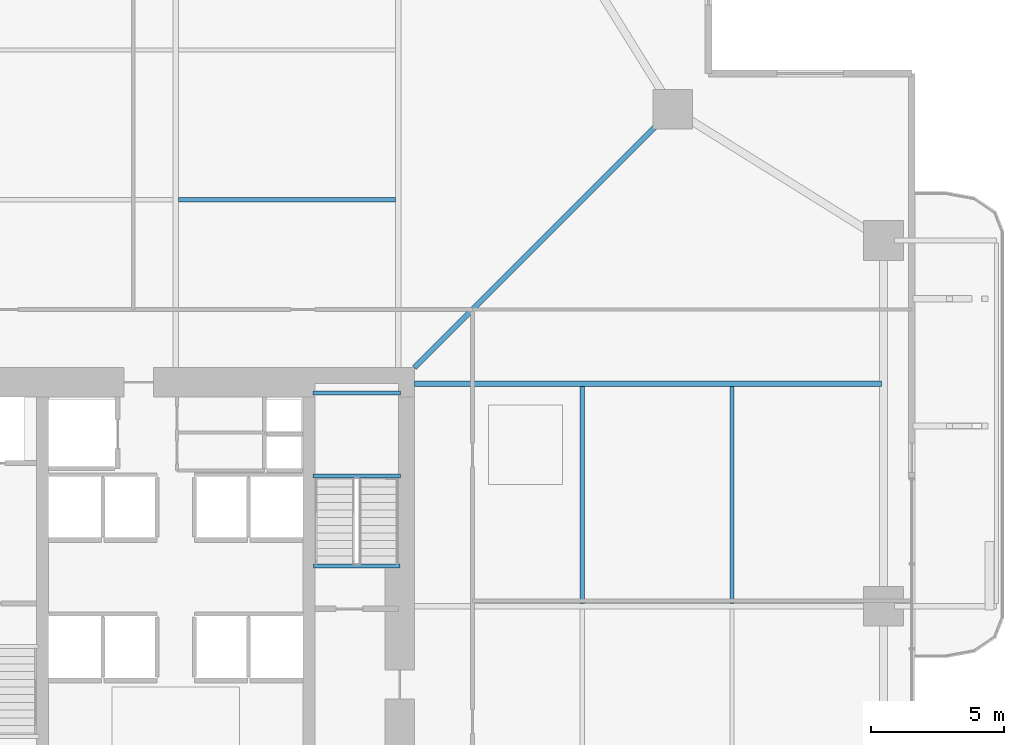
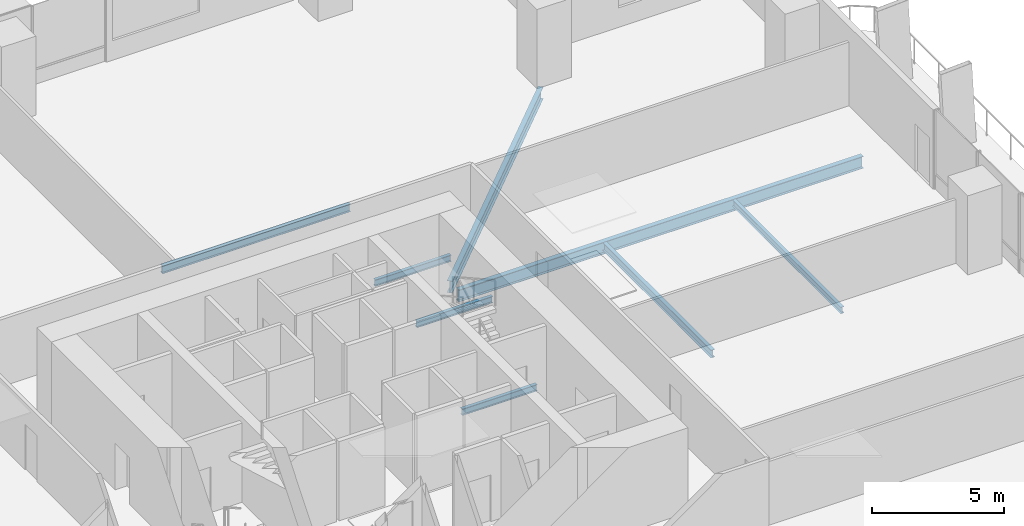
# One storey, part 12 of 23: 8 beams.
"""IFC4 building model written with IfcOpenShell, lengths in metres."""

import ifcopenshell
import ifcopenshell.guid

model = None  # the IFC model being written
_history = None  # IfcOwnerHistory: only IFC2X3 demands one
_inside = {}  # id of a spatial element -> (the spatial element, [elements in it])
_under = {}  # id of a project, library or spatial element -> (it, [spatial elements below it])
_declared = {}  # id of a project -> (the project, [libraries it declares])
_typed = {}  # id of a type object -> (the type object, [elements of that type])
_made_of = {}  # id of a material, layer set ... -> (it, [elements and type objects made of it])


def new_model(schema):
    """Start an empty IFC model of exactly this schema.

    Asked for "IFC4X3", IfcOpenShell would pick the latest addendum, in which some entities
    have other attributes; the version numbers below select the first issue.
    IFC2X3 requires an IfcOwnerHistory on every rooted entity: one is made here for all.
    """
    global model, _history
    if schema == "IFC4X3":
        model = ifcopenshell.file(schema_version=(4, 3, 0, 0))
    else:
        model = ifcopenshell.file(schema=schema)
    _inside.clear()
    _under.clear()
    _declared.clear()
    _typed.clear()
    _made_of.clear()
    _history = None
    if model.schema == "IFC2X3":
        org = make("IfcOrganization", Name="unknown")
        user = make(
            "IfcPersonAndOrganization",
            ThePerson=make("IfcPerson", FamilyName="unknown"),
            TheOrganization=org,
        )
        app = make(
            "IfcApplication",
            ApplicationDeveloper=org,
            Version="unknown",
            ApplicationFullName="unknown",
            ApplicationIdentifier="unknown",
        )
        _history = make(
            "IfcOwnerHistory",
            OwningUser=user,
            OwningApplication=app,
            ChangeAction="ADDED",
            CreationDate=0,
        )
    return model


def make(cls, **values):
    """One entity of the class cls with the attributes given. An attribute that is None is left unset."""
    return model.create_entity(
        cls, **{name: value for name, value in values.items() if value is not None}
    )


def rooted(cls, **values):
    """An entity with a GlobalId (a new one), such as an element, a storey or a relation."""
    return make(cls, GlobalId=ifcopenshell.guid.new(), OwnerHistory=_history, **values)


def si_unit(unit_type, name, prefix=None):
    """IfcSIUnit, for example si_unit("LENGTHUNIT", "METRE", prefix="MILLI")."""
    return make("IfcSIUnit", UnitType=unit_type, Prefix=prefix, Name=name)


def assignment(units):
    """IfcUnitAssignment: the units of a project."""
    return None if units is None else make("IfcUnitAssignment", Units=units)


def point(xyz):
    """IfcCartesianPoint."""
    return None if xyz is None else make("IfcCartesianPoint", Coordinates=xyz)


def direction(xyz):
    """IfcDirection."""
    return None if xyz is None else make("IfcDirection", DirectionRatios=xyz)


def frame(location, z_axis=None, x_axis=None):
    """IfcAxis2Placement3D, a coordinate frame: its origin and axes. An axis left out is left unset."""
    return make(
        "IfcAxis2Placement3D",
        Location=point(location),
        Axis=direction(z_axis),
        RefDirection=direction(x_axis),
    )


def frame_2d(location, x_axis=None):
    """IfcAxis2Placement2D, a coordinate frame in the plane: its origin and x axis."""
    return make(
        "IfcAxis2Placement2D", Location=point(location), RefDirection=direction(x_axis)
    )


def origin():
    """The frame at (0, 0, 0) with its axes left unset."""
    return frame((0.0, 0.0, 0.0))


def origin_2d():
    """The frame at (0, 0) in the plane with its x axis left unset."""
    return frame_2d((0.0, 0.0))


def place(relative_to, where):
    """IfcLocalPlacement: puts the frame where relative to a parent placement (None: the world)."""
    return make(
        "IfcLocalPlacement", PlacementRelTo=relative_to, RelativePlacement=where
    )


def context(
    kind, dimensions, precision=None, world=None, true_north=None, identifier=None
):
    """IfcGeometricRepresentationContext, for example the 3D "Model" context."""
    return make(
        "IfcGeometricRepresentationContext",
        ContextIdentifier=identifier,
        ContextType=kind,
        CoordinateSpaceDimension=dimensions,
        Precision=precision,
        WorldCoordinateSystem=world,
        TrueNorth=true_north,
    )


def subcontext(parent, identifier, kind, view, scale=None):
    """IfcGeometricRepresentationSubContext, for example "Body" below "Model"."""
    return make(
        "IfcGeometricRepresentationSubContext",
        ContextIdentifier=identifier,
        ContextType=kind,
        ParentContext=parent,
        TargetScale=scale,
        TargetView=view,
    )


def project(units=None, contexts=None):
    """IfcProject with its units and contexts."""
    return rooted(
        "IfcProject",
        Name="project",
        RepresentationContexts=contexts,
        UnitsInContext=assignment(units),
    )


def spatial(cls, under=None, at=None, **own):
    """A site, building, storey or space (cls), placed at a placement, below another one or the project."""
    s = rooted(cls, ObjectPlacement=at, **own)
    if under is not None:
        _under.setdefault(under.id(), (under, []))[1].append(s)
    return s


def profile(cls, at=None, kind="AREA", **sizes):
    """A parametric profile (cls). Its sizes go by their IFC names, for example OverallWidth=200.0."""
    return make(cls, ProfileType=kind, Position=at, **sizes)


def i_section(**sizes):
    """IfcIShapeProfileDef."""
    return profile("IfcIShapeProfileDef", **sizes)


def extrude(swept, where, along, depth):
    """IfcExtrudedAreaSolid: the profile swept, set in the frame where, extruded along a direction by depth."""
    return make(
        "IfcExtrudedAreaSolid",
        SweptArea=swept,
        Position=where,
        ExtrudedDirection=direction(along),
        Depth=depth,
    )


def shape(context_of_items, identifier, shape_type, items):
    """IfcShapeRepresentation: the items that make up one representation, for example the "Body"."""
    return make(
        "IfcShapeRepresentation",
        ContextOfItems=context_of_items,
        RepresentationIdentifier=identifier,
        RepresentationType=shape_type,
        Items=items,
    )


def material(Name=None, Category=None):
    """IfcMaterial."""
    return make("IfcMaterial", Name=Name, Category=Category)


def material_profile(
    of_material, cross_section, Name=None, Category=None, Priority=None
):
    """IfcMaterialProfile: a cross section and its material."""
    return make(
        "IfcMaterialProfile",
        Name=Name,
        Material=of_material,
        Profile=cross_section,
        Priority=Priority,
        Category=Category,
    )


def profile_set(profiles, Name=None, composite=None):
    """IfcMaterialProfileSet."""
    return make(
        "IfcMaterialProfileSet",
        Name=Name,
        MaterialProfiles=profiles,
        CompositeProfile=composite,
    )


def made_of(thing, what):
    """Note that an element or type object is made of a material, layer set ...; save() writes the relation."""
    if what is not None:
        _made_of.setdefault(what.id(), (what, []))[1].append(thing)
    return thing


def type_object(cls, material=None, **own):
    """A type object (cls), such as IfcWallType, which elements share."""
    return made_of(rooted(cls, **own), material)


def element(
    cls,
    number,
    at=None,
    inside=None,
    cuts=None,
    type_object=None,
    material=None,
    context=None,
    identifier="Body",
    shape_type=None,
    held_by="IfcProductDefinitionShape",
    body=None,
    shapes=None,
    **own,
):
    """One element of the class cls, such as IfcWall. Its Tag is "e" and its number.

    at: its placement. inside: the storey or other place that contains it. cuts: it is an
    opening in that element (IfcRelVoidsElement). A single representation is given by context,
    identifier, shape_type and body (its items); several are given by shapes. held_by: the class
    of the entity that holds the representations. save() writes the other relations.
    """
    e = rooted(cls, Tag="e%d" % number, ObjectPlacement=at, **own)
    if body is not None:
        shapes = [shape(context, identifier, shape_type, body)]
    if shapes is not None:
        e.Representation = make(held_by, Representations=shapes)
    if inside is not None:
        _inside.setdefault(inside.id(), (inside, []))[1].append(e)
    if cuts is not None:
        rooted(
            "IfcRelVoidsElement", RelatingBuildingElement=cuts, RelatedOpeningElement=e
        )
    if type_object is not None:
        _typed.setdefault(type_object.id(), (type_object, []))[1].append(e)
    return made_of(e, material)


def aggregate(whole, parts):
    """IfcRelAggregates: a whole, such as a stair, and the parts it consists of."""
    return rooted("IfcRelAggregates", RelatingObject=whole, RelatedObjects=parts)


def save(model, path):
    """Write the relations noted so far, then the file.

    IfcRelAggregates (storeys below a building ...), IfcRelContainedInSpatialStructure (elements
    in a storey), IfcRelDefinesByType, IfcRelAssociatesMaterial and IfcRelDeclares: one each for
    every whole, place, type object, material and project.
    """
    for whole, parts in _under.values():
        aggregate(whole, parts)
    for where, things in _inside.values():
        rooted(
            "IfcRelContainedInSpatialStructure",
            RelatedElements=things,
            RelatingStructure=where,
        )
    for kind, things in _typed.values():
        rooted("IfcRelDefinesByType", RelatedObjects=things, RelatingType=kind)
    for what, things in _made_of.values():
        rooted("IfcRelAssociatesMaterial", RelatedObjects=things, RelatingMaterial=what)
    for by, libraries in _declared.values():
        rooted("IfcRelDeclares", RelatingContext=by, RelatedDefinitions=libraries)
    model.write(path)


model = new_model("IFC4")

# Units and contexts
model_context = context("Model", 3, precision=1e-05, world=origin(), true_north=direction((0.0, 1.0)))
body_context = subcontext(model_context, "Body", "Model", "MODEL_VIEW")
ifc_project = project(units=[si_unit("LENGTHUNIT", "METRE"), si_unit("AREAUNIT", "SQUARE_METRE"), si_unit("VOLUMEUNIT", "CUBIC_METRE"), si_unit("PLANEANGLEUNIT", "RADIAN"), si_unit("MASSUNIT", "GRAM", prefix="KILO")], contexts=[model_context])

# Site, building, storey
site_placement = place(None, origin())
site = spatial("IfcSite", under=ifc_project, at=site_placement, CompositionType="ELEMENT")
building_placement = place(site_placement, origin())
building = spatial("IfcBuilding", under=site, at=building_placement, Name="Belovzor Exchange Tower", CompositionType="ELEMENT")
storey_placement = place(building_placement, frame((0.0, 0.0, 57.300048828125)))
storey = spatial("IfcBuildingStorey", under=building, at=storey_placement, Name="L13", CompositionType="ELEMENT", Elevation=57.300048828125)

# Beams
ifc_material_1 = material(Name="Steel S355", Category="steel")
ifc_material_profile_1 = material_profile(ifc_material_1, i_section(OverallWidth=0.169921875, OverallDepth=0.360107421875, WebThickness=0.008056640625, FlangeThickness=0.0126953125, at=origin_2d()))
ifc_profile_set_1 = profile_set([ifc_material_profile_1], Name="Steel S355")
beam_type_1 = type_object("IfcBeamType", Name="Secondary Infill Floor Joist IPE 360", PredefinedType="BEAM", material=ifc_profile_set_1)
for number, where, z_axis, x_axis, name in (
    (1, (28.905029296875, 44.14501953125, -0.429931640625), (1.0, 0.0, 0.0), (0.0, 1.0, 0.0), "FJ-360 Secondary Infill Floor Joist IPE 360"),
    (2, (44.14501953125, 28.905029296875, -0.429931640625), (0.0, 1.0, 0.0), (-1.0, 0.0, 0.0), "FJ-360 Secondary Infill Floor Joist IPE 360"),
):
    element("IfcBeam", number, at=place(storey_placement, frame(where, z_axis=z_axis, x_axis=x_axis)), inside=storey, type_object=beam_type_1, Name=name, PredefinedType="BEAM", context=body_context, shape_type="SweptSolid", body=[
        extrude(i_section(OverallWidth=0.169921875, OverallDepth=0.360107421875, WebThickness=0.008056640625, FlangeThickness=0.0126953125, at=origin_2d()), origin(), (0.0, 0.0, 1.0), 8.18994140625),
    ])
ifc_material_2 = material(Name="Steel S355", Category="steel")
ifc_material_profile_2 = material_profile(ifc_material_2, i_section(OverallWidth=0.14990234375, OverallDepth=0.300048828125, WebThickness=0.007080078125, FlangeThickness=0.0107421875, at=origin_2d()))
ifc_profile_set_2 = profile_set([ifc_material_profile_2], Name="Steel S355")
beam_type_2 = type_object("IfcBeamType", Name="Secondary Trim Floor Joist IPE 300", PredefinedType="BEAM", material=ifc_profile_set_2)
for number, where, z_axis, x_axis, name in (
    (3, (37.280029296875, 33.7099609375, 1.599853515625), (-1.0, 0.0, 0.0), (0.0, -1.0, 0.0), "FJ-300 Secondary Trim Floor Joist IPE 300"),
    (4, (37.280029296875, 36.85009765625, 1.599853515625), (-1.0, 0.0, 0.0), (0.0, -1.0, 0.0), "FJ-300 Secondary Trim Floor Joist IPE 300"),
):
    element("IfcBeam", number, at=place(storey_placement, frame(where, z_axis=z_axis, x_axis=x_axis)), inside=storey, type_object=beam_type_2, Name=name, PredefinedType="BEAM", context=body_context, shape_type="SweptSolid", body=[
        extrude(i_section(OverallWidth=0.14990234375, OverallDepth=0.300048828125, WebThickness=0.007080078125, FlangeThickness=0.0107421875, at=origin_2d()), origin(), (0.0, 0.0, 1.0), 3.31005859375),
    ])
beam_1_placement = place(storey_placement, frame((37.260009765625, 30.320068359375, -0.400146484375), z_axis=(-1.0, 0.0, 0.0), x_axis=(0.0, -1.0, 0.0)))
element("IfcBeam", 5, at=beam_1_placement, inside=storey, type_object=beam_type_2, Name="FJ-300 Secondary Trim Floor Joist IPE 300", PredefinedType="BEAM", context=body_context, shape_type="SweptSolid", body=[
    extrude(i_section(OverallWidth=0.14990234375, OverallDepth=0.300048828125, WebThickness=0.007080078125, FlangeThickness=0.0107421875, at=origin_2d()), origin(), (0.0, 0.0, 1.0), 3.27001953125),
])
beam_2_placement = place(storey_placement, frame((49.784912109375, 28.905029296875, -0.400146484375), z_axis=(0.0, 1.0, 0.0), x_axis=(-1.0, 0.0, 0.0)))
element("IfcBeam", 6, at=beam_2_placement, inside=storey, type_object=beam_type_2, Name="FJ-300 Secondary Trim Floor Joist IPE 300", PredefinedType="BEAM", context=body_context, shape_type="SweptSolid", body=[
    extrude(i_section(OverallWidth=0.14990234375, OverallDepth=0.300048828125, WebThickness=0.007080078125, FlangeThickness=0.0107421875, at=origin_2d()), origin(), (0.0, 0.0, 1.0), 8.18994140625),
])
ifc_material_3 = material(Name="Steel S355", Category="steel")
ifc_material_profile_3 = material_profile(ifc_material_3, i_section(OverallWidth=0.2099609375, OverallDepth=0.550048828125, WebThickness=0.010986328125, FlangeThickness=0.01708984375, at=origin_2d()))
ifc_profile_set_3 = profile_set([ifc_material_profile_3], Name="Steel S355")
beam_type_3 = type_object("IfcBeamType", Name="Zone 1 Radial Composite Floor Beam IPE 550", PredefinedType="BEAM", material=ifc_profile_set_3)
beam_3_placement = place(storey_placement, frame((37.800048828125, 37.199951171875, -0.525146484375), z_axis=(1.0, 0.0, 0.0), x_axis=(0.0, 1.0, 0.0)))
element("IfcBeam", 7, at=beam_3_placement, inside=storey, type_object=beam_type_3, Name="FB-550 Zone 1 Radial Composite Floor Beam IPE 550", PredefinedType="BEAM", context=body_context, shape_type="SweptSolid", body=[
    extrude(i_section(OverallWidth=0.2099609375, OverallDepth=0.550048828125, WebThickness=0.010986328125, FlangeThickness=0.01708984375, at=origin_2d()), origin(), (0.0, 0.0, 1.0), 17.625),
])
beam_4_placement = place(storey_placement, frame((37.800048828125, 37.800048828125, -0.525146484375), z_axis=(0.707106781187, 0.707106781187, 0.0), x_axis=(-0.707106781187, 0.707106781187, 0.0)))
element("IfcBeam", 8, at=beam_4_placement, inside=storey, type_object=beam_type_3, Name="FB-550 Zone 1 Radial Composite Floor Beam IPE 550", PredefinedType="BEAM", context=body_context, shape_type="SweptSolid", body=[
    extrude(i_section(OverallWidth=0.2099609375, OverallDepth=0.550048828125, WebThickness=0.010986328125, FlangeThickness=0.01708984375, at=origin_2d()), origin(), (0.0, 0.0, 1.0), 13.25830078125),
])

save(model, "model.ifc")
